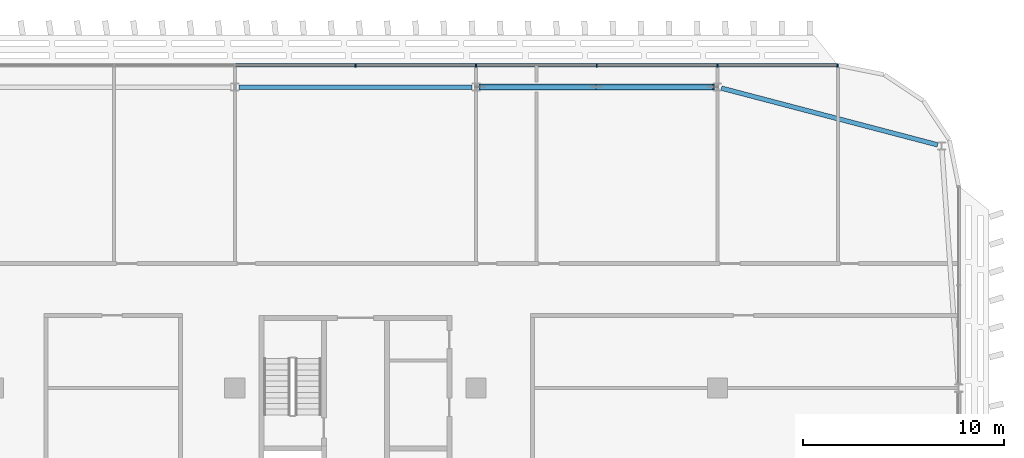
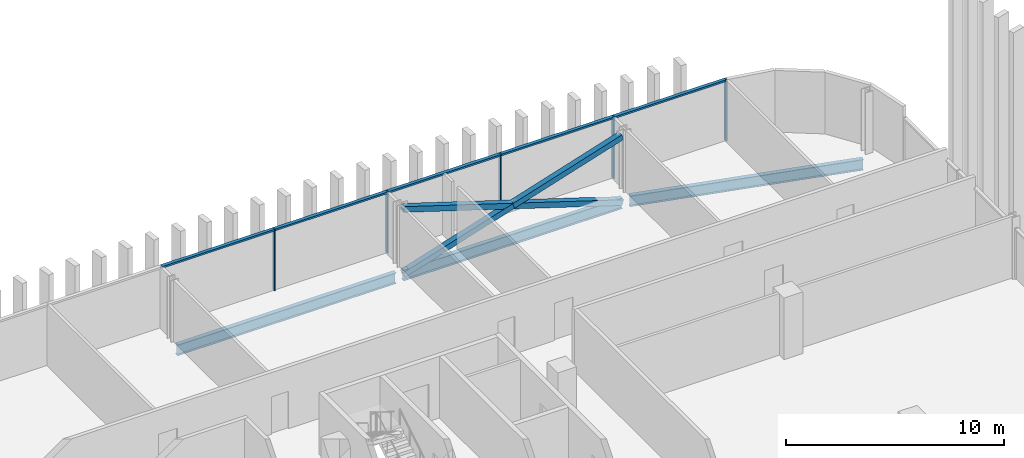
# One storey, part 13 of 32: 13 members, 3 beams, 1 element without a shape of its own.
"""IFC4 building model written with IfcOpenShell, lengths in metres."""

from ifc_helpers import new_model, si_unit, direction, frame, origin, origin_2d, place, context, subcontext, project, spatial, rectangle, hollow_rectangle, i_section, extrude, material, material_profile, profile_set, type_object, element, aggregate, save


model = new_model("IFC4")

# Units and contexts
model_context = context("Model", 3, precision=1e-05, world=origin(), true_north=direction((0.0, 1.0)))
body_context = subcontext(model_context, "Body", "Model", "MODEL_VIEW")
ifc_project = project(units=[si_unit("LENGTHUNIT", "METRE"), si_unit("AREAUNIT", "SQUARE_METRE"), si_unit("VOLUMEUNIT", "CUBIC_METRE"), si_unit("PLANEANGLEUNIT", "RADIAN"), si_unit("MASSUNIT", "GRAM", prefix="KILO")], contexts=[model_context])

# Site, building, storey
site_placement = place(None, origin())
site = spatial("IfcSite", under=ifc_project, at=site_placement, CompositionType="ELEMENT")
building_placement = place(site_placement, origin())
building = spatial("IfcBuilding", under=site, at=building_placement, Name="Mahtab Terrace Research Tower", CompositionType="ELEMENT")
storey_placement = place(building_placement, frame((0.0, 0.0, 243.800048828125)))
storey = spatial("IfcBuildingStorey", under=building, at=storey_placement, Name="L59", CompositionType="ELEMENT", Elevation=243.800048828125)

# Members
ifc_material_1 = material(Name="Steel ASTM A500 Gr C", Category="steel")
ifc_material_profile_1 = material_profile(ifc_material_1, hollow_rectangle(XDim=0.3046875, YDim=0.3046875, WallThickness=0.015869140625, at=origin_2d()), Name="HSS12X12X5/8")
ifc_profile_set_1 = profile_set([ifc_material_profile_1], Name="Steel ASTM A500 Gr C")
member_type_1 = type_object("IfcMemberType", Name="HSS 12x12x5/8 brace XB121258", PredefinedType="BRACE", material=ifc_profile_set_1)
member_1_placement = place(storey_placement, frame((41.800537109375, 26.472900390625, -0.58056640625), z_axis=(-0.953338568311, 0.0, 0.301903252998), x_axis=(0.0, -1.0, 0.0)))
element("IfcMember", 1, at=member_1_placement, inside=storey, type_object=member_type_1, Name="Exoskeleton brace L59 02 a", PredefinedType="BRACE", context=body_context, shape_type="SweptSolid", body=[
    extrude(hollow_rectangle(XDim=0.3046875, YDim=0.3046875, WallThickness=0.015869140625, at=origin_2d()), origin(), (0.0, 0.0, 1.0), 12.1689453125),
])
for number, where, z_axis, x_axis, name in (
    (2, (30.199462890625, 26.472900390625, -0.58056640625), (0.953338568311, 0.0, 0.301903252998), (0.0, 1.0, 0.0), "Exoskeleton brace L59 02 b1"),
    (3, (36.0, 26.472900390625, 1.25634765625), (0.953338568311, 0.0, 0.301903252998), (0.0, 1.0, 0.0), "Exoskeleton brace L59 02 b2"),
):
    element("IfcMember", number, at=place(storey_placement, frame(where, z_axis=z_axis, x_axis=x_axis)), inside=storey, type_object=member_type_1, Name=name, PredefinedType="BRACE", context=body_context, shape_type="SweptSolid", body=[
        extrude(hollow_rectangle(XDim=0.3046875, YDim=0.3046875, WallThickness=0.015869140625, at=origin_2d()), origin(), (0.0, 0.0, 1.0), 6.08447265625),
    ])

# Curtain wall, members
ifc_material_2 = material(Name="Office ribbon curtain wall")
curtain_wall_type = type_object("IfcCurtainWallType", Name="Office ribbon curtain wall", PredefinedType="NOTDEFINED", material=ifc_material_2)
curtain_wall_placement = place(storey_placement, origin())
curtain_wall = element("IfcCurtainWall", 4, at=curtain_wall_placement, inside=storey, type_object=curtain_wall_type, Name="EN.L59.3.3", PredefinedType="NOTDEFINED")
ifc_material_3 = material(Name="Natural anodised aluminium", Category="aluminium")
ifc_material_profile_2 = material_profile(ifc_material_3, rectangle(XDim=0.179931640625, YDim=0.06005859375, at=origin_2d()), Name="MULLION 60x180")
ifc_profile_set_2 = profile_set([ifc_material_profile_2], Name="Natural anodised aluminium")
member_type_2 = type_object("IfcMemberType", Name="Office ribbon curtain wall mullion", PredefinedType="MULLION", material=ifc_profile_set_2)
member_2_placement = place(storey_placement, frame((47.969970703125, 27.555908203125, 0.0), z_axis=(0.0, 0.0, 1.0), x_axis=(0.0, -1.0, 0.0)))
member_2 = element("IfcMember", 5, at=member_2_placement, type_object=member_type_2, Name="CWO-7 mullion 1", PredefinedType="MULLION", context=body_context, shape_type="SweptSolid", body=[
    extrude(rectangle(XDim=0.179931640625, YDim=0.06005859375, at=origin_2d()), origin(), (0.0, 0.0, 1.0), 3.4599609375),
])
member_3_placement = place(storey_placement, frame((42.0, 27.555908203125, 0.0), z_axis=(0.0, 0.0, 1.0), x_axis=(0.0, -1.0, 0.0)))
member_3 = element("IfcMember", 6, at=member_3_placement, type_object=member_type_2, Name="CWO-7 mullion 2", PredefinedType="MULLION", context=body_context, shape_type="SweptSolid", body=[
    extrude(rectangle(XDim=0.179931640625, YDim=0.06005859375, at=origin_2d()), origin(), (0.0, 0.0, 1.0), 3.4599609375),
])
member_4_placement = place(storey_placement, frame((36.0, 27.555908203125, 0.0), z_axis=(0.0, 0.0, 1.0), x_axis=(0.0, -1.0, 0.0)))
member_4 = element("IfcMember", 7, at=member_4_placement, type_object=member_type_2, Name="CWO-7 mullion 3", PredefinedType="MULLION", context=body_context, shape_type="SweptSolid", body=[
    extrude(rectangle(XDim=0.179931640625, YDim=0.06005859375, at=origin_2d()), origin(), (0.0, 0.0, 1.0), 3.4599609375),
])
member_5_placement = place(storey_placement, frame((30.0, 27.555908203125, 0.0), z_axis=(0.0, 0.0, 1.0), x_axis=(0.0, -1.0, 0.0)))
member_5 = element("IfcMember", 8, at=member_5_placement, type_object=member_type_2, Name="CWO-7 mullion 4", PredefinedType="MULLION", context=body_context, shape_type="SweptSolid", body=[
    extrude(rectangle(XDim=0.179931640625, YDim=0.06005859375, at=origin_2d()), origin(), (0.0, 0.0, 1.0), 3.4599609375),
])
member_6_placement = place(storey_placement, frame((24.0, 27.555908203125, 0.0), z_axis=(0.0, 0.0, 1.0), x_axis=(0.0, -1.0, 0.0)))
member_6 = element("IfcMember", 9, at=member_6_placement, type_object=member_type_2, Name="CWO-7 mullion 5", PredefinedType="MULLION", context=body_context, shape_type="SweptSolid", body=[
    extrude(rectangle(XDim=0.179931640625, YDim=0.06005859375, at=origin_2d()), origin(), (0.0, 0.0, 1.0), 3.4599609375),
])
ifc_material_profile_3 = material_profile(ifc_material_3, rectangle(XDim=0.179931640625, YDim=0.10009765625, at=origin_2d()), Name="TRANSOM 100x180")
ifc_profile_set_3 = profile_set([ifc_material_profile_3], Name="Natural anodised aluminium")
member_type_3 = type_object("IfcMemberType", Name="Office ribbon curtain wall transom", PredefinedType="USERDEFINED", material=ifc_profile_set_3)
member_7_placement = place(storey_placement, frame((47.93994140625, 27.555908203125, 3.409912109375), z_axis=(-1.0, 0.0, 0.0), x_axis=(0.0, -1.0, 0.0)))
member_7 = element("IfcMember", 10, at=member_7_placement, type_object=member_type_3, Name="CWO-7 transom 1", ObjectType="TRANSOM", PredefinedType="USERDEFINED", context=body_context, shape_type="SweptSolid", body=[
    extrude(rectangle(XDim=0.179931640625, YDim=0.10009765625, at=origin_2d()), origin(), (0.0, 0.0, 1.0), 5.909912109375),
])
member_8_placement = place(storey_placement, frame((41.969970703125, 27.555908203125, 3.409912109375), z_axis=(-1.0, 0.0, 0.0), x_axis=(0.0, -1.0, 0.0)))
member_8 = element("IfcMember", 11, at=member_8_placement, type_object=member_type_3, Name="CWO-7 transom 2", ObjectType="TRANSOM", PredefinedType="USERDEFINED", context=body_context, shape_type="SweptSolid", body=[
    extrude(rectangle(XDim=0.179931640625, YDim=0.10009765625, at=origin_2d()), origin(), (0.0, 0.0, 1.0), 5.93994140625),
])
member_9_placement = place(storey_placement, frame((35.969970703125, 27.555908203125, 3.409912109375), z_axis=(-1.0, 0.0, 0.0), x_axis=(0.0, -1.0, 0.0)))
member_9 = element("IfcMember", 12, at=member_9_placement, type_object=member_type_3, Name="CWO-7 transom 3", ObjectType="TRANSOM", PredefinedType="USERDEFINED", context=body_context, shape_type="SweptSolid", body=[
    extrude(rectangle(XDim=0.179931640625, YDim=0.10009765625, at=origin_2d()), origin(), (0.0, 0.0, 1.0), 5.93994140625),
])
member_10_placement = place(storey_placement, frame((29.969970703125, 27.555908203125, 3.409912109375), z_axis=(-1.0, 0.0, 0.0), x_axis=(0.0, -1.0, 0.0)))
member_10 = element("IfcMember", 13, at=member_10_placement, type_object=member_type_3, Name="CWO-7 transom 4", ObjectType="TRANSOM", PredefinedType="USERDEFINED", context=body_context, shape_type="SweptSolid", body=[
    extrude(rectangle(XDim=0.179931640625, YDim=0.10009765625, at=origin_2d()), origin(), (0.0, 0.0, 1.0), 5.93994140625),
])
member_11_placement = place(storey_placement, frame((23.969970703125, 27.555908203125, 3.409912109375), z_axis=(-1.0, 0.0, 0.0), x_axis=(0.0, -1.0, 0.0)))
member_11 = element("IfcMember", 14, at=member_11_placement, type_object=member_type_3, Name="CWO-7 transom 5", ObjectType="TRANSOM", PredefinedType="USERDEFINED", context=body_context, shape_type="SweptSolid", body=[
    extrude(rectangle(XDim=0.179931640625, YDim=0.10009765625, at=origin_2d()), origin(), (0.0, 0.0, 1.0), 5.93994140625),
])
aggregate(curtain_wall, [member_2, member_3, member_4, member_5, member_6, member_7, member_8, member_9, member_10, member_11])

# Beams
ifc_material_4 = material(Name="Steel ASTM A992 Gr 50", Category="steel")
ifc_material_profile_4 = material_profile(ifc_material_4, i_section(OverallWidth=0.228271484375, OverallDepth=0.607177734375, WebThickness=0.01123046875, FlangeThickness=0.017333984375, at=origin_2d()), Name="W24X76")
ifc_profile_set_4 = profile_set([ifc_material_profile_4], Name="Steel ASTM A992 Gr 50")
beam_type = type_object("IfcBeamType", Name="W24x76 beam BS2476", PredefinedType="BEAM", material=ifc_profile_set_4)
beam_placement = place(storey_placement, frame((52.95458984375, 23.598388671875, -0.6435546875), z_axis=(-0.967252058434, 0.253817760323, 0.0), x_axis=(-0.253817760323, -0.967252058434, 0.0)))
element("IfcBeam", 15, at=beam_placement, inside=storey, type_object=beam_type, Name="Spandrel beam L59 01", PredefinedType="BEAM", context=body_context, shape_type="SweptSolid", body=[
    extrude(i_section(OverallWidth=0.228271484375, OverallDepth=0.607177734375, WebThickness=0.01123046875, FlangeThickness=0.017333984375, at=origin_2d()), origin(), (0.0, 0.0, 1.0), 11.119140625),
])
for number, where, z_axis, x_axis, name in (
    (16, (41.800537109375, 26.472900390625, -0.6435546875), (-1.0, 0.0, 0.0), (0.0, -1.0, 0.0), "Spandrel beam L59 02"),
    (17, (29.800537109375, 26.472900390625, -0.6435546875), (-1.0, 0.0, 0.0), (0.0, -1.0, 0.0), "Spandrel beam L59 03"),
):
    element("IfcBeam", number, at=place(storey_placement, frame(where, z_axis=z_axis, x_axis=x_axis)), inside=storey, type_object=beam_type, Name=name, PredefinedType="BEAM", context=body_context, shape_type="SweptSolid", body=[
        extrude(i_section(OverallWidth=0.228271484375, OverallDepth=0.607177734375, WebThickness=0.01123046875, FlangeThickness=0.017333984375, at=origin_2d()), origin(), (0.0, 0.0, 1.0), 11.60107421875),
    ])

save(model, "model.ifc")
